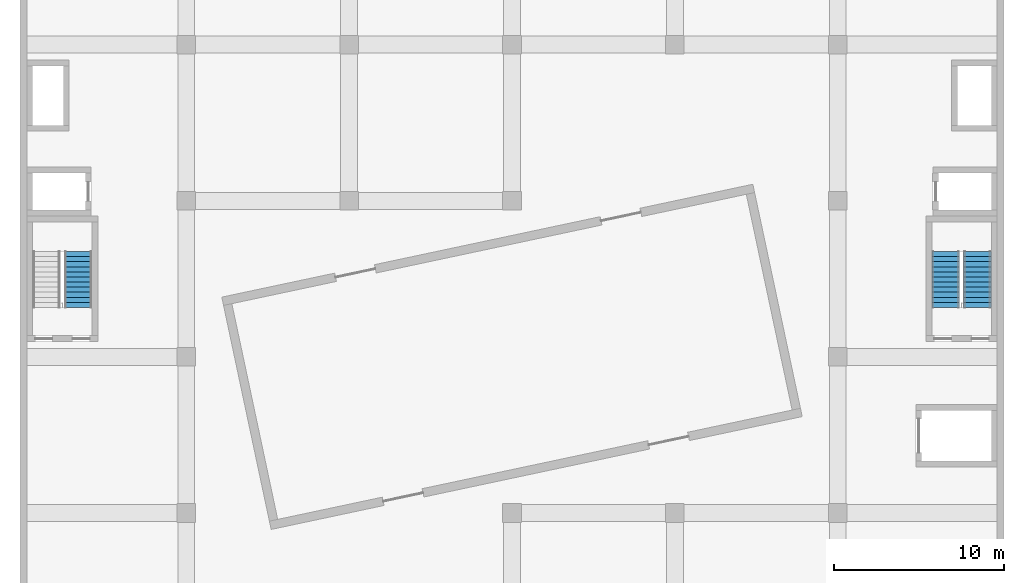
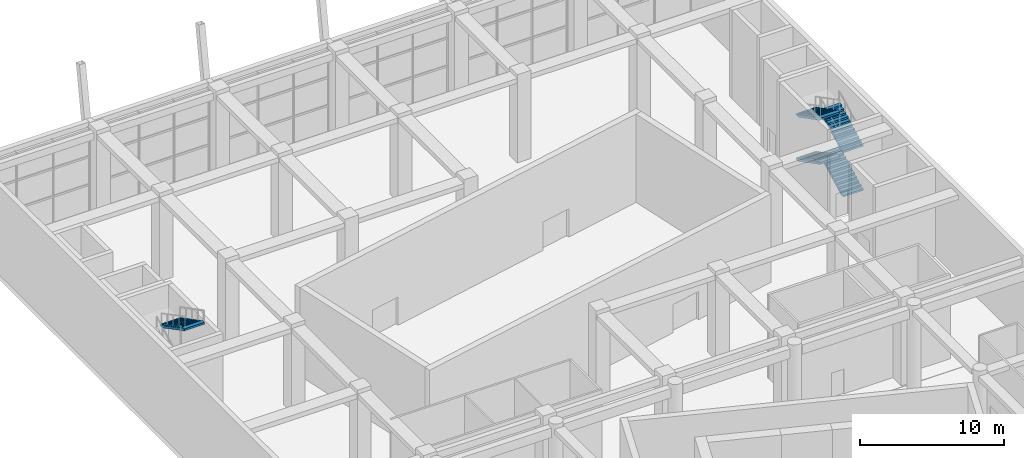
# One storey, part 21 of 36: 5 stair flights, 2 elements without a shape of their own.
"""IFC4 building model written with IfcOpenShell, lengths in metres."""

from ifc_helpers import new_model, si_unit, direction, frame, origin, place, context, subcontext, project, spatial, polyline, outline, extrude, material, type_object, element, aggregate, save


model = new_model("IFC4")

# Units and contexts
model_context = context("Model", 3, precision=1e-05, world=origin(), true_north=direction((0.0, 1.0)))
body_context = subcontext(model_context, "Body", "Model", "MODEL_VIEW")
ifc_project = project(units=[si_unit("LENGTHUNIT", "METRE"), si_unit("AREAUNIT", "SQUARE_METRE"), si_unit("VOLUMEUNIT", "CUBIC_METRE"), si_unit("PLANEANGLEUNIT", "RADIAN"), si_unit("MASSUNIT", "GRAM", prefix="KILO")], contexts=[model_context])

# Site, building, storey
site_placement = place(None, origin())
site = spatial("IfcSite", under=ifc_project, at=site_placement, CompositionType="ELEMENT")
building_placement = place(site_placement, origin())
building = spatial("IfcBuilding", under=site, at=building_placement, Name="Nzadi Deep Aquarium and Research Tower", CompositionType="ELEMENT")
storey_placement = place(building_placement, frame((0.0, 0.0, 14.199951171875)))
storey = spatial("IfcBuildingStorey", under=building, at=storey_placement, Name="L02", CompositionType="ELEMENT", Elevation=14.199951171875)

# Stair, stair flight
ifc_material_1 = material(Name="Concrete C35/45", Category="concrete")
stair_type = type_object("IfcStairType", Name="STAIR RETURN 3000", PredefinedType="NOTDEFINED", material=ifc_material_1)
stair_1_placement = place(storey_placement, origin())
stair_1 = element("IfcStair", 1, at=stair_1_placement, inside=storey, type_object=stair_type, Name="Stair ST-Z3-W L02", PredefinedType="DOUBLE_RETURN_STAIR")
ifc_material_2 = material(Name="Concrete C35/45", Category="concrete")
stair_flight_type = type_object("IfcStairFlightType", Name="FLIGHT 1625 12 RISERS 156.2", PredefinedType="STRAIGHT", material=ifc_material_2)
stair_flight_1_placement = place(storey_placement, frame((3.237548828125, 119.409912109375, 5.625), z_axis=(0.0, 0.0, 1.0), x_axis=(0.0, -1.0, 0.0)))
stair_flight_1 = element("IfcStairFlight", 2, at=stair_flight_1_placement, type_object=stair_flight_type, Name="ST-Z3-W flight 4", NumberOfRisers=12, NumberOfTreads=11, PredefinedType="STRAIGHT", RiserHeight=0.15625, TreadLength=0.3, context=body_context, shape_type="SweptSolid", body=[
    extrude(outline(polyline([(0.0, 0.0), (0.0, 0.15625), (0.300048828125, 0.15625), (0.300048828125, 0.3125), (0.60009765625, 0.3125), (0.60009765625, 0.46875), (0.89990234375, 0.46875), (0.89990234375, 0.625), (1.199951171875, 0.625), (1.199951171875, 0.78125), (1.5, 0.78125), (1.5, 0.9375), (1.800048828125, 0.9375), (1.800048828125, 1.09375), (2.10009765625, 1.09375), (2.10009765625, 1.25), (2.39990234375, 1.25), (2.39990234375, 1.40625), (2.699951171875, 1.40625), (2.699951171875, 1.5625), (3.0, 1.5625), (3.0, 1.71875), (3.300048828125, 1.71875), (3.300048828125, 1.875), (3.300048828125, 1.5498046875), (0.324462890625, 0.0), (0.0, 0.0)])), frame((0.0, 0.8125, 0.0), z_axis=(0.0, -1.0, 0.0), x_axis=(1.0, 0.0, 0.0)), (0.0, 0.0, 1.0), 1.625),
])
aggregate(stair_1, [stair_flight_1])

# Stair, stair flights
stair_2_placement = place(storey_placement, origin())
stair_2 = element("IfcStair", 3, at=stair_2_placement, inside=storey, type_object=stair_type, Name="Stair ST-Z3-E L02", PredefinedType="DOUBLE_RETURN_STAIR")
stair_flight_2_placement = place(storey_placement, frame((56.237548828125, 116.110107421875, 0.0), z_axis=(0.0, 0.0, 1.0), x_axis=(0.0, 1.0, 0.0)))
stair_flight_2 = element("IfcStairFlight", 4, at=stair_flight_2_placement, type_object=stair_flight_type, Name="ST-Z3-E flight 1", NumberOfRisers=12, NumberOfTreads=11, PredefinedType="STRAIGHT", RiserHeight=0.15625, TreadLength=0.3, context=body_context, shape_type="SweptSolid", body=[
    extrude(outline(polyline([(0.0, 0.0), (0.0, 0.15625), (0.300048828125, 0.15625), (0.300048828125, 0.3125), (0.60009765625, 0.3125), (0.60009765625, 0.46875), (0.89990234375, 0.46875), (0.89990234375, 0.625), (1.199951171875, 0.625), (1.199951171875, 0.78125), (1.5, 0.78125), (1.5, 0.9375), (1.800048828125, 0.9375), (1.800048828125, 1.09375), (2.10009765625, 1.09375), (2.10009765625, 1.25), (2.39990234375, 1.25), (2.39990234375, 1.40625), (2.699951171875, 1.40625), (2.699951171875, 1.5625), (3.0, 1.5625), (3.0, 1.71875), (3.300048828125, 1.71875), (3.300048828125, 1.875), (3.300048828125, 1.5498046875), (0.324462890625, 0.0), (0.0, 0.0)])), frame((0.0, 0.8125, 0.0), z_axis=(0.0, -1.0, 0.0), x_axis=(1.0, 0.0, 0.0)), (0.0, 0.0, 1.0), 1.625),
])
stair_flight_3_placement = place(storey_placement, frame((54.362548828125, 119.409912109375, 1.875), z_axis=(0.0, 0.0, 1.0), x_axis=(0.0, -1.0, 0.0)))
stair_flight_3 = element("IfcStairFlight", 5, at=stair_flight_3_placement, type_object=stair_flight_type, Name="ST-Z3-E flight 2", NumberOfRisers=12, NumberOfTreads=11, PredefinedType="STRAIGHT", RiserHeight=0.15625, TreadLength=0.3, context=body_context, shape_type="SweptSolid", body=[
    extrude(outline(polyline([(0.0, 0.0), (0.0, 0.15625), (0.300048828125, 0.15625), (0.300048828125, 0.3125), (0.60009765625, 0.3125), (0.60009765625, 0.46875), (0.89990234375, 0.46875), (0.89990234375, 0.625), (1.199951171875, 0.625), (1.199951171875, 0.78125), (1.5, 0.78125), (1.5, 0.9375), (1.800048828125, 0.9375), (1.800048828125, 1.09375), (2.10009765625, 1.09375), (2.10009765625, 1.25), (2.39990234375, 1.25), (2.39990234375, 1.40625), (2.699951171875, 1.40625), (2.699951171875, 1.5625), (3.0, 1.5625), (3.0, 1.71875), (3.300048828125, 1.71875), (3.300048828125, 1.875), (3.300048828125, 1.5498046875), (0.324462890625, 0.0), (0.0, 0.0)])), frame((0.0, 0.8125, 0.0), z_axis=(0.0, -1.0, 0.0), x_axis=(1.0, 0.0, 0.0)), (0.0, 0.0, 1.0), 1.625),
])
stair_flight_4_placement = place(storey_placement, frame((56.237548828125, 116.110107421875, 3.75), z_axis=(0.0, 0.0, 1.0), x_axis=(0.0, 1.0, 0.0)))
stair_flight_4 = element("IfcStairFlight", 6, at=stair_flight_4_placement, type_object=stair_flight_type, Name="ST-Z3-E flight 3", NumberOfRisers=12, NumberOfTreads=11, PredefinedType="STRAIGHT", RiserHeight=0.15625, TreadLength=0.3, context=body_context, shape_type="SweptSolid", body=[
    extrude(outline(polyline([(0.0, 0.0), (0.0, 0.15625), (0.300048828125, 0.15625), (0.300048828125, 0.3125), (0.60009765625, 0.3125), (0.60009765625, 0.46875), (0.89990234375, 0.46875), (0.89990234375, 0.625), (1.199951171875, 0.625), (1.199951171875, 0.78125), (1.5, 0.78125), (1.5, 0.9375), (1.800048828125, 0.9375), (1.800048828125, 1.09375), (2.10009765625, 1.09375), (2.10009765625, 1.25), (2.39990234375, 1.25), (2.39990234375, 1.40625), (2.699951171875, 1.40625), (2.699951171875, 1.5625), (3.0, 1.5625), (3.0, 1.71875), (3.300048828125, 1.71875), (3.300048828125, 1.875), (3.300048828125, 1.5498046875), (0.324462890625, 0.0), (0.0, 0.0)])), frame((0.0, 0.8125, 0.0), z_axis=(0.0, -1.0, 0.0), x_axis=(1.0, 0.0, 0.0)), (0.0, 0.0, 1.0), 1.625),
])
stair_flight_5_placement = place(storey_placement, frame((54.362548828125, 119.409912109375, 5.625), z_axis=(0.0, 0.0, 1.0), x_axis=(0.0, -1.0, 0.0)))
stair_flight_5 = element("IfcStairFlight", 7, at=stair_flight_5_placement, type_object=stair_flight_type, Name="ST-Z3-E flight 4", NumberOfRisers=12, NumberOfTreads=11, PredefinedType="STRAIGHT", RiserHeight=0.15625, TreadLength=0.3, context=body_context, shape_type="SweptSolid", body=[
    extrude(outline(polyline([(0.0, 0.0), (0.0, 0.15625), (0.300048828125, 0.15625), (0.300048828125, 0.3125), (0.60009765625, 0.3125), (0.60009765625, 0.46875), (0.89990234375, 0.46875), (0.89990234375, 0.625), (1.199951171875, 0.625), (1.199951171875, 0.78125), (1.5, 0.78125), (1.5, 0.9375), (1.800048828125, 0.9375), (1.800048828125, 1.09375), (2.10009765625, 1.09375), (2.10009765625, 1.25), (2.39990234375, 1.25), (2.39990234375, 1.40625), (2.699951171875, 1.40625), (2.699951171875, 1.5625), (3.0, 1.5625), (3.0, 1.71875), (3.300048828125, 1.71875), (3.300048828125, 1.875), (3.300048828125, 1.5498046875), (0.324462890625, 0.0), (0.0, 0.0)])), frame((0.0, 0.8125, 0.0), z_axis=(0.0, -1.0, 0.0), x_axis=(1.0, 0.0, 0.0)), (0.0, 0.0, 1.0), 1.625),
])
aggregate(stair_2, [stair_flight_2, stair_flight_3, stair_flight_4, stair_flight_5])

save(model, "model.ifc")
